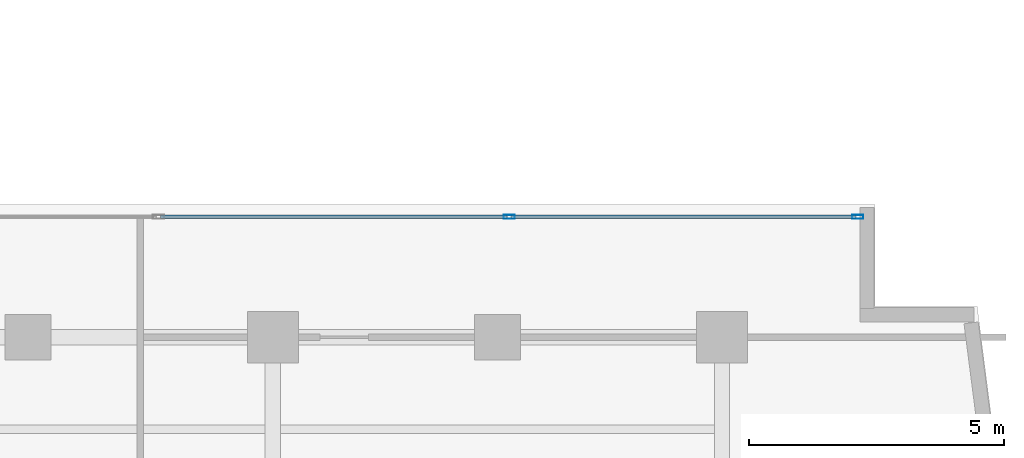
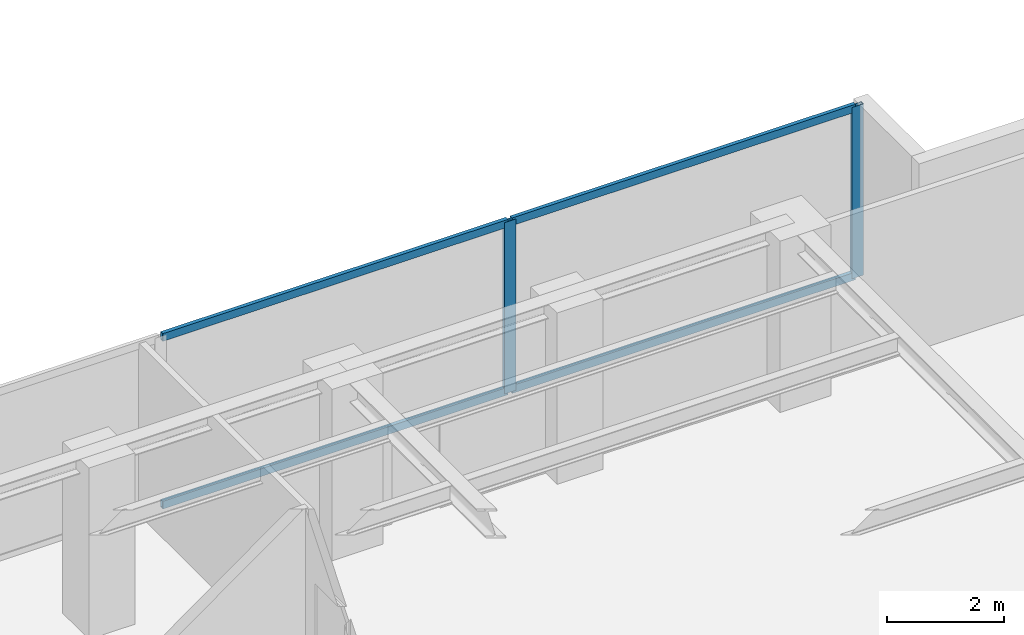
# One storey, part 12 of 23: 6 members, 1 element without a shape of its own.
"""IFC4 building model written with IfcOpenShell, lengths in metres."""

from ifc_helpers import new_model, si_unit, direction, frame, origin, origin_with_axes, origin_2d, place, context, subcontext, project, spatial, hollow_rectangle, extrude, source, transform, mapped, material, layer, layer_set, material_profile, profile_set, type_object, element, aggregate, save


model = new_model("IFC4")

# Units and contexts
model_context = context("Model", 3, precision=1e-05, world=origin(), true_north=direction((0.0, 1.0)))
body_context = subcontext(model_context, "Body", "Model", "MODEL_VIEW")
ifc_project = project(units=[si_unit("LENGTHUNIT", "METRE"), si_unit("AREAUNIT", "SQUARE_METRE"), si_unit("VOLUMEUNIT", "CUBIC_METRE"), si_unit("PLANEANGLEUNIT", "RADIAN"), si_unit("MASSUNIT", "GRAM", prefix="KILO")], contexts=[model_context])

# Site, building, storey
site_placement = place(None, origin())
site = spatial("IfcSite", under=ifc_project, at=site_placement, CompositionType="ELEMENT")
building_placement = place(site_placement, origin())
building = spatial("IfcBuilding", under=site, at=building_placement, Name="Kolvaren Waterfront Exchange", CompositionType="ELEMENT")
storey_placement = place(building_placement, frame((0.0, 0.0, 234.89990234375)))
storey = spatial("IfcBuildingStorey", under=building, at=storey_placement, Name="L60", CompositionType="ELEMENT", Elevation=234.89990234375)

# Curtain wall, members
ifc_material_1 = material(Name="Anodised bronze aluminium 6063-T6", Category="aluminium")
ifc_layer = layer(ifc_material_1, 0.219970703125, Name="Anodised bronze aluminium 6063-T6")
ifc_layer_set = layer_set([ifc_layer], Name="Anodised bronze aluminium 6063-T6")
curtain_wall_type = type_object("IfcCurtainWallType", Name="ARC-CW-SYS1", PredefinedType="USERDEFINED", material=ifc_layer_set)
curtain_wall_placement = place(storey_placement, origin())
curtain_wall = element("IfcCurtainWall", 1, at=curtain_wall_placement, inside=storey, type_object=curtain_wall_type, Name="L60 stick curtain wall CW1 (CW-L60-EN)", ObjectType="STICK CURTAIN WALL", PredefinedType="USERDEFINED")
ifc_material_2 = material(Name="Anodised aluminium 6063-T6", Category="aluminium")
ifc_material_profile_1 = material_profile(ifc_material_2, hollow_rectangle(XDim=0.080078125, YDim=0.219970703125, WallThickness=0.0048828125, at=origin_2d()), Name="ALU-MUL-220x80x5")
ifc_profile_set_1 = profile_set([ifc_material_profile_1], Name="Anodised aluminium 6063-T6")
member_type_1 = type_object("IfcMemberType", Name="ARC-CWM-220", PredefinedType="MULLION", material=ifc_profile_set_1)
shared_shape_1 = source(origin_with_axes(), body_context, "Body", "SweptSolid", [
    extrude(hollow_rectangle(XDim=0.080078125, YDim=0.219970703125, WallThickness=0.0048828125, at=origin_2d()), origin(), (0.0, 0.0, 1.0), 3.56005859375),
])
member_1_placement = place(storey_placement, frame((41.429931640625, 19.760009765625, 0.0), z_axis=(0.0, 0.0, 1.0), x_axis=(0.0, 1.0, 0.0)))
member_1 = element("IfcMember", 2, at=member_1_placement, type_object=member_type_1, Name="CW1 mullion 3", PredefinedType="MULLION", context=body_context, shape_type="MappedRepresentation", body=[
    mapped(shared_shape_1, transform((0.0, 0.0, 0.0), x_axis=(1.0, 0.0, 0.0), y_axis=(0.0, 1.0, 0.0), z_axis=(0.0, 0.0, 1.0), scale=1.0)),
])
member_2_placement = place(storey_placement, frame((48.260009765625, 19.760009765625, 0.0), z_axis=(0.0, 0.0, 1.0), x_axis=(0.0, 1.0, 0.0)))
member_2 = element("IfcMember", 3, at=member_2_placement, type_object=member_type_1, Name="CW1 mullion 4", PredefinedType="MULLION", context=body_context, shape_type="MappedRepresentation", body=[
    mapped(shared_shape_1, transform((0.0, 0.0, 0.0), x_axis=(1.0, 0.0, 0.0), y_axis=(0.0, 1.0, 0.0), z_axis=(0.0, 0.0, 1.0), scale=1.0)),
])
ifc_material_profile_2 = material_profile(ifc_material_2, hollow_rectangle(XDim=0.074951171875, YDim=0.159912109375, WallThickness=0.00439453125, at=origin_2d()), Name="ALU-TRN-160x75x4.5")
ifc_profile_set_2 = profile_set([ifc_material_profile_2], Name="Anodised aluminium 6063-T6")
member_type_2 = type_object("IfcMemberType", Name="ARC-CWT-160", PredefinedType="USERDEFINED", material=ifc_profile_set_2)
shared_shape_2 = source(origin_with_axes(), body_context, "Body", "SweptSolid", [
    extrude(hollow_rectangle(XDim=0.074951171875, YDim=0.159912109375, WallThickness=0.00439453125, at=origin_2d()), origin(), (0.0, 0.0, 1.0), 6.75),
])
member_3_placement = place(storey_placement, frame((41.469970703125, 19.760009765625, 0.03759765625), z_axis=(1.0, 0.0, 0.0), x_axis=(0.0, 1.0, 0.0)))
member_3 = element("IfcMember", 4, at=member_3_placement, type_object=member_type_2, Name="CW1 transom 3.1", ObjectType="TRANSOM", PredefinedType="USERDEFINED", context=body_context, shape_type="MappedRepresentation", body=[
    mapped(shared_shape_2, transform((0.0, 0.0, 0.0), x_axis=(1.0, 0.0, 0.0), y_axis=(0.0, 1.0, 0.0), z_axis=(0.0, 0.0, 1.0), scale=1.0)),
])
member_4_placement = place(storey_placement, frame((41.469970703125, 19.760009765625, 3.522705078125), z_axis=(1.0, 0.0, 0.0), x_axis=(0.0, 1.0, 0.0)))
member_4 = element("IfcMember", 5, at=member_4_placement, type_object=member_type_2, Name="CW1 transom 3.2", ObjectType="TRANSOM", PredefinedType="USERDEFINED", context=body_context, shape_type="MappedRepresentation", body=[
    mapped(shared_shape_2, transform((0.0, 0.0, 0.0), x_axis=(1.0, 0.0, 0.0), y_axis=(0.0, 1.0, 0.0), z_axis=(0.0, 0.0, 1.0), scale=1.0)),
])
shared_shape_3 = source(origin_with_axes(), body_context, "Body", "SweptSolid", [
    extrude(hollow_rectangle(XDim=0.074951171875, YDim=0.159912109375, WallThickness=0.00439453125, at=origin_2d()), origin(), (0.0, 0.0, 1.0), 6.789794921875),
])
member_5_placement = place(storey_placement, frame((34.60009765625, 19.760009765625, 0.03759765625), z_axis=(1.0, 0.0, 0.0), x_axis=(0.0, 1.0, 0.0)))
member_5 = element("IfcMember", 6, at=member_5_placement, type_object=member_type_2, Name="CW1 transom 2.1", ObjectType="TRANSOM", PredefinedType="USERDEFINED", context=body_context, shape_type="MappedRepresentation", body=[
    mapped(shared_shape_3, transform((0.0, 0.0, 0.0), x_axis=(1.0, 0.0, 0.0), y_axis=(0.0, 1.0, 0.0), z_axis=(0.0, 0.0, 1.0), scale=1.0)),
])
member_6_placement = place(storey_placement, frame((34.60009765625, 19.760009765625, 3.522705078125), z_axis=(1.0, 0.0, 0.0), x_axis=(0.0, 1.0, 0.0)))
member_6 = element("IfcMember", 7, at=member_6_placement, type_object=member_type_2, Name="CW1 transom 2.2", ObjectType="TRANSOM", PredefinedType="USERDEFINED", context=body_context, shape_type="MappedRepresentation", body=[
    mapped(shared_shape_3, transform((0.0, 0.0, 0.0), x_axis=(1.0, 0.0, 0.0), y_axis=(0.0, 1.0, 0.0), z_axis=(0.0, 0.0, 1.0), scale=1.0)),
])
aggregate(curtain_wall, [member_1, member_2, member_5, member_6, member_3, member_4])

save(model, "model.ifc")
